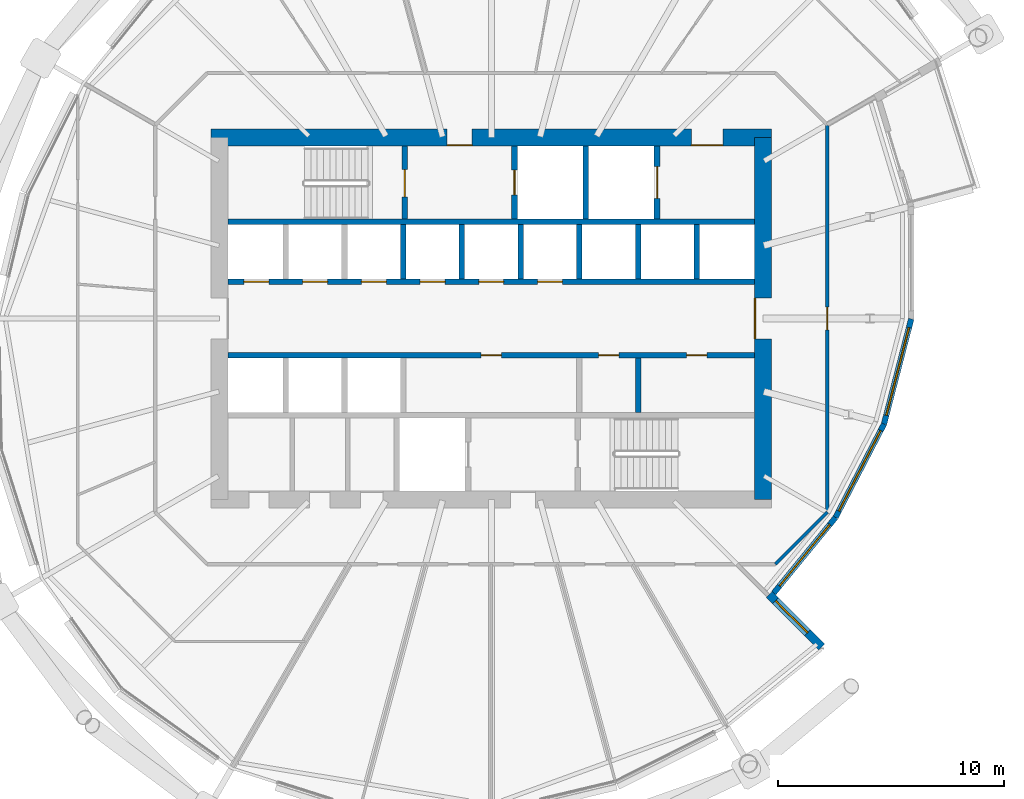
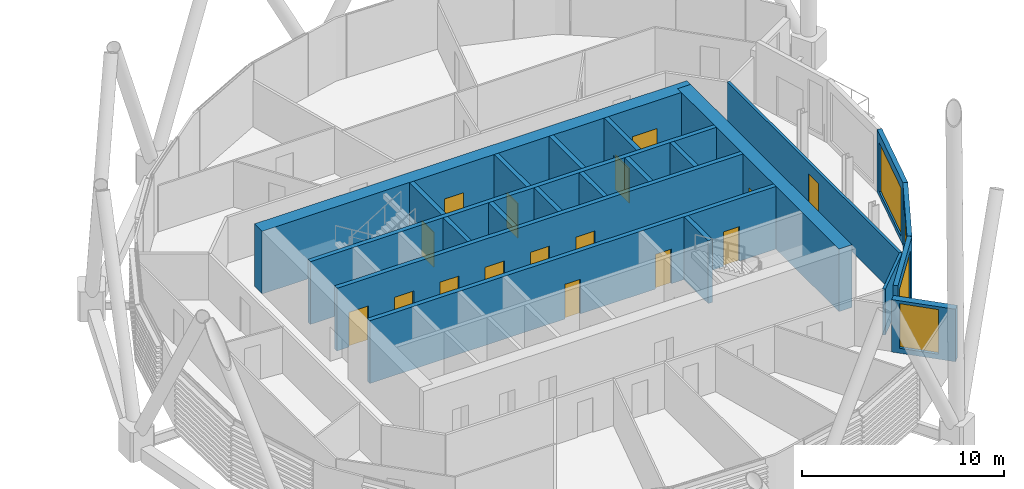
# One storey, part 31 of 39: 22 walls, 16 doors, 4 windows, 20 openings.
"""IFC4 building model written with IfcOpenShell, lengths in metres."""

from ifc_helpers import new_model, si_unit, direction, frame, frame_2d, origin, place, context, subcontext, project, spatial, rectangle, extrude, material, layer, layer_set, type_object, element, fill, save


model = new_model("IFC4")

# Units and contexts
model_context = context("Model", 3, precision=1e-05, world=origin(), true_north=direction((0.0, 1.0)))
body_context = subcontext(model_context, "Body", "Model", "MODEL_VIEW")
ifc_project = project(units=[si_unit("LENGTHUNIT", "METRE"), si_unit("AREAUNIT", "SQUARE_METRE"), si_unit("VOLUMEUNIT", "CUBIC_METRE"), si_unit("PLANEANGLEUNIT", "RADIAN"), si_unit("MASSUNIT", "GRAM", prefix="KILO")], contexts=[model_context])

# Site, building, storey
site_placement = place(None, origin())
site = spatial("IfcSite", under=ifc_project, at=site_placement, CompositionType="ELEMENT")
building_placement = place(site_placement, origin())
building = spatial("IfcBuilding", under=site, at=building_placement, Name="Rimbun Link Towers", CompositionType="ELEMENT")
storey_placement = place(building_placement, frame((0.0, 0.0, 115.800048828125)))
storey = spatial("IfcBuildingStorey", under=building, at=storey_placement, Name="L28", CompositionType="ELEMENT", Elevation=115.800048828125)

# Wall, opening, window
ifc_material_1 = material(Name="Dark enamelled glass spandrel on insulated aluminium backpan", Category="aluminium")
ifc_layer_1 = layer(ifc_material_1, 0.25)
ifc_layer_set_1 = layer_set([ifc_layer_1], Name="CS dark enamelled spandrel wall 250")
wall_type_1 = type_object("IfcWallType", Name="CS dark enamelled spandrel wall 250", PredefinedType="STANDARD", material=ifc_layer_set_1)
wall_1_placement = place(storey_placement, frame((46.958984375, -8.789306640625, 0.0), z_axis=(0.0, 0.0, 1.0), x_axis=(-0.632981787804, -0.774166685093, 0.0)))
wall_1 = element("IfcWall", 1, at=wall_1_placement, inside=storey, type_object=wall_type_1, Name="Crease spandrel wall", PredefinedType="STANDARD", context=body_context, shape_type="SweptSolid", body=[
    extrude(rectangle(XDim=4.31103515625, YDim=0.25, at=frame_2d((2.155517578125, 0.0))), origin(), (0.0, 0.0, 1.0), 3.800048828125),
])
opening_1_placement = place(wall_1_placement, frame((0.405517578125, 0.0, 0.300048828125)))
opening_1 = element("IfcOpeningElement", 2, at=opening_1_placement, cuts=wall_1, Name="Opening WR35H295", PredefinedType="OPENING", context=body_context, shape_type="SweptSolid", body=[
    extrude(rectangle(XDim=3.5, YDim=2.949951171875, at=frame_2d((1.75, 1.47509765625))), frame((0.0, 0.135009765625, 0.0), z_axis=(0.0, -1.0, 0.0), x_axis=(1.0, 0.0, 0.0)), (0.0, 0.0, 1.0), 0.27001953125),
])
ifc_material_2 = material(Name="Aluminium framed fixed window, dark tinted low-e glass", Category="aluminium")
window_type_1 = type_object("IfcWindowType", Name="WR ribbon window 3500X2950", PartitioningType="SINGLE_PANEL", PredefinedType="WINDOW", material=ifc_material_2)
window_1_placement = place(opening_1_placement, origin())
window_1 = element("IfcWindow", 3, at=window_1_placement, inside=storey, type_object=window_type_1, Name="Crease ribbon window", OverallHeight=2.949951171875, OverallWidth=3.5, PartitioningType="SINGLE_PANEL", PredefinedType="WINDOW", context=body_context, shape_type="SweptSolid", body=[
    extrude(rectangle(XDim=3.5, YDim=2.949951171875, at=frame_2d((1.75, 1.47509765625))), frame((0.0, 0.030029296875, 0.0), z_axis=(0.0, -1.0, 0.0), x_axis=(1.0, 0.0, 0.0)), (0.0, 0.0, 1.0), 0.06005859375),
])
fill(opening_1, window_1)

wall_2_placement = place(storey_placement, frame((49.1015625, -4.662841796875, 0.0), z_axis=(0.0, 0.0, 1.0), x_axis=(-0.460813679946, -0.887496902741, 0.0)))
wall_2 = element("IfcWall", 4, at=wall_2_placement, inside=storey, type_object=wall_type_1, Name="Crease spandrel wall", PredefinedType="STANDARD", context=body_context, shape_type="SweptSolid", body=[
    extrude(rectangle(XDim=4.649658203125, YDim=0.25, at=frame_2d((2.32470703125, 0.0))), origin(), (0.0, 0.0, 1.0), 3.800048828125),
])
opening_2_placement = place(wall_2_placement, frame((0.32470703125, 0.0, 0.300048828125)))
opening_2 = element("IfcOpeningElement", 5, at=opening_2_placement, cuts=wall_2, Name="Opening WR40H295", PredefinedType="OPENING", context=body_context, shape_type="SweptSolid", body=[
    extrude(rectangle(XDim=4.0, YDim=2.949951171875, at=frame_2d((2.0, 1.47509765625))), frame((0.0, 0.135009765625, 0.0), z_axis=(0.0, -1.0, 0.0), x_axis=(1.0, 0.0, 0.0)), (0.0, 0.0, 1.0), 0.27001953125),
])
ifc_material_3 = material(Name="Aluminium framed fixed window, dark tinted low-e glass", Category="aluminium")
window_type_2 = type_object("IfcWindowType", Name="WR ribbon window 4000X2950", PartitioningType="SINGLE_PANEL", PredefinedType="WINDOW", material=ifc_material_3)
window_2_placement = place(opening_2_placement, origin())
window_2 = element("IfcWindow", 6, at=window_2_placement, inside=storey, type_object=window_type_2, Name="Crease ribbon window", OverallHeight=2.949951171875, OverallWidth=4.0, PartitioningType="SINGLE_PANEL", PredefinedType="WINDOW", context=body_context, shape_type="SweptSolid", body=[
    extrude(rectangle(XDim=4.0, YDim=2.949951171875, at=frame_2d((2.0, 1.47509765625))), frame((0.0, 0.030029296875, 0.0), z_axis=(0.0, -1.0, 0.0), x_axis=(1.0, 0.0, 0.0)), (0.0, 0.0, 1.0), 0.06005859375),
])
fill(opening_2, window_2)

wall_3_placement = place(storey_placement, frame((50.305419921875, -0.015869140625, 0.0), z_axis=(0.0, 0.0, 1.0), x_axis=(-0.250783887851, -0.968043099038, 0.0)))
wall_3 = element("IfcWall", 7, at=wall_3_placement, inside=storey, type_object=wall_type_1, Name="Crease spandrel wall", PredefinedType="STANDARD", context=body_context, shape_type="SweptSolid", body=[
    extrude(rectangle(XDim=4.80029296875, YDim=0.25, at=frame_2d((2.400146484375, 0.0))), origin(), (0.0, 0.0, 1.0), 3.800048828125),
])
opening_3_placement = place(wall_3_placement, frame((0.400146484375, 0.0, 0.300048828125)))
opening_3 = element("IfcOpeningElement", 8, at=opening_3_placement, cuts=wall_3, Name="Opening WR40H295", PredefinedType="OPENING", context=body_context, shape_type="SweptSolid", body=[
    extrude(rectangle(XDim=4.0, YDim=2.949951171875, at=frame_2d((2.0, 1.47509765625))), frame((0.0, 0.135009765625, 0.0), z_axis=(0.0, -1.0, 0.0), x_axis=(1.0, 0.0, 0.0)), (0.0, 0.0, 1.0), 0.27001953125),
])
window_3_placement = place(opening_3_placement, origin())
window_3 = element("IfcWindow", 9, at=window_3_placement, inside=storey, type_object=window_type_2, Name="Crease ribbon window", OverallHeight=2.949951171875, OverallWidth=4.0, PartitioningType="SINGLE_PANEL", PredefinedType="WINDOW", context=body_context, shape_type="SweptSolid", body=[
    extrude(rectangle(XDim=4.0, YDim=2.949951171875, at=frame_2d((2.0, 1.47509765625))), frame((0.0, 0.030029296875, 0.0), z_axis=(0.0, -1.0, 0.0), x_axis=(1.0, 0.0, 0.0)), (0.0, 0.0, 1.0), 0.06005859375),
])
fill(opening_3, window_3)

ifc_material_4 = material(Name="Dark enamelled glass spandrel on insulated aluminium backpan", Category="aluminium")
ifc_layer_2 = layer(ifc_material_4, 0.3701171875)
ifc_layer_set_2 = layer_set([ifc_layer_2], Name="CS dark enamelled spandrel wall 370")
wall_type_2 = type_object("IfcWallType", Name="CS dark enamelled spandrel wall 370", PredefinedType="STANDARD", material=ifc_layer_set_2)
wall_4_placement = place(storey_placement, frame((44.0283203125, -12.186279296875, 0.0), z_axis=(0.0, 0.0, 1.0), x_axis=(0.707069562102, -0.707143998312, 0.0)))
wall_4 = element("IfcWall", 10, at=wall_4_placement, inside=storey, type_object=wall_type_2, Name="Crease spandrel wall", PredefinedType="STANDARD", context=body_context, shape_type="SweptSolid", body=[
    extrude(rectangle(XDim=3.27978515625, YDim=0.3701171875, at=frame_2d((1.639892578125, 0.0))), origin(), (0.0, 0.0, 1.0), 3.176513671875),
])
opening_4_placement = place(wall_4_placement, frame((0.397216796875, 0.0, 0.300048828125)))
opening_4 = element("IfcOpeningElement", 11, at=opening_4_placement, cuts=wall_4, Name="Opening WR20H270", PredefinedType="OPENING", context=body_context, shape_type="SweptSolid", body=[
    extrude(rectangle(XDim=2.0, YDim=2.699951171875, at=frame_2d((1.0, 1.35009765625))), frame((0.0, 0.195068359375, 0.0), z_axis=(0.0, -1.0, 0.0), x_axis=(1.0, 0.0, 0.0)), (0.0, 0.0, 1.0), 0.39013671875),
])
ifc_material_5 = material(Name="Aluminium framed fixed window, dark tinted low-e glass", Category="aluminium")
window_type_3 = type_object("IfcWindowType", Name="WR ribbon window 2000X2700", PartitioningType="SINGLE_PANEL", PredefinedType="WINDOW", material=ifc_material_5)
window_4_placement = place(opening_4_placement, origin())
window_4 = element("IfcWindow", 12, at=window_4_placement, inside=storey, type_object=window_type_3, Name="Crease ribbon window", OverallHeight=2.699951171875, OverallWidth=2.0, PartitioningType="SINGLE_PANEL", PredefinedType="WINDOW", context=body_context, shape_type="SweptSolid", body=[
    extrude(rectangle(XDim=2.0, YDim=2.699951171875, at=frame_2d((1.0, 1.35009765625))), frame((0.0, 0.030029296875, 0.0), z_axis=(0.0, -1.0, 0.0), x_axis=(1.0, 0.0, 0.0)), (0.0, 0.0, 1.0), 0.06005859375),
])
fill(opening_4, window_4)

# Wall, openings, doors
ifc_material_6 = material(Name="Concrete C60/75", Category="concrete")
ifc_layer_3 = layer(ifc_material_6, 0.75)
ifc_layer_set_3 = layer_set([ifc_layer_3], Name="Core shear wall 750")
wall_type_3 = type_object("IfcWallType", Name="Core shear wall 750", PredefinedType="SHEAR", material=ifc_layer_set_3)
wall_5_placement = place(storey_placement, frame((19.375, 8.0, 0.0), z_axis=(0.0, 0.0, 1.0), x_axis=(1.0, 0.0, 0.0)))
wall_5 = element("IfcWall", 13, at=wall_5_placement, inside=storey, type_object=wall_type_3, Name="L28 T2 core wall N", PredefinedType="SHEAR", context=body_context, shape_type="SweptSolid", body=[
    extrude(rectangle(XDim=24.75, YDim=0.75, at=frame_2d((12.375, 0.0))), origin(), (0.0, 0.0, 1.0), 3.800048828125),
])
opening_5_placement = place(wall_5_placement, frame((10.425048828125, 0.0, 0.0)))
opening_5 = element("IfcOpeningElement", 14, at=opening_5_placement, cuts=wall_5, Name="Opening C2DCF01N", PredefinedType="OPENING", context=body_context, shape_type="SweptSolid", body=[
    extrude(rectangle(XDim=1.10009765625, YDim=2.10009765625, at=frame_2d((0.550048828125, 1.050048828125))), frame((0.0, 0.385009765625, 0.0), z_axis=(0.0, -1.0, 0.0), x_axis=(1.0, 0.0, 0.0)), (0.0, 0.0, 1.0), 0.77001953125),
])
opening_6_placement = place(wall_5_placement, frame((21.21240234375, 0.0, 0.0)))
opening_6 = element("IfcOpeningElement", 15, at=opening_6_placement, cuts=wall_5, Name="Opening C2DSL02N", PredefinedType="OPENING", context=body_context, shape_type="SweptSolid", body=[
    extrude(rectangle(XDim=1.39990234375, YDim=2.10009765625, at=frame_2d((0.699951171875, 1.050048828125))), frame((0.0, 0.385009765625, 0.0), z_axis=(0.0, -1.0, 0.0), x_axis=(1.0, 0.0, 0.0)), (0.0, 0.0, 1.0), 0.77001953125),
])
ifc_material_7 = material(Name="Steel fire door set", Category="steel")
door_type_1 = type_object("IfcDoorType", Name="Core fire door single", OperationType="SINGLE_SWING_LEFT", PredefinedType="DOOR", material=ifc_material_7)
door_1_placement = place(opening_5_placement, origin())
door_1 = element("IfcDoor", 16, at=door_1_placement, inside=storey, type_object=door_type_1, Name="L28 T2 firefighting lobby n door", OperationType="SINGLE_SWING_LEFT", OverallHeight=2.10009765625, OverallWidth=1.10009765625, PredefinedType="DOOR", context=body_context, shape_type="SweptSolid", body=[
    extrude(rectangle(XDim=1.10009765625, YDim=2.10009765625, at=frame_2d((0.550048828125, 1.050048828125))), frame((0.0, -0.3251953125, 0.0), z_axis=(0.0, -1.0, 0.0), x_axis=(1.0, 0.0, 0.0)), (0.0, 0.0, 1.0), 0.050048828125),
])
fill(opening_5, door_1)
ifc_material_8 = material(Name="Steel fire door set", Category="steel")
door_type_2 = type_object("IfcDoorType", Name="Service lobby door double", OperationType="DOUBLE_DOOR_SINGLE_SWING", PredefinedType="DOOR", material=ifc_material_8)
door_2_placement = place(opening_6_placement, origin())
door_2 = element("IfcDoor", 17, at=door_2_placement, inside=storey, type_object=door_type_2, Name="L28 T2 service lobby door", OperationType="DOUBLE_DOOR_SINGLE_SWING", OverallHeight=2.10009765625, OverallWidth=1.39990234375, PredefinedType="DOOR", context=body_context, shape_type="SweptSolid", body=[
    extrude(rectangle(XDim=1.39990234375, YDim=2.10009765625, at=frame_2d((0.699951171875, 1.050048828125))), frame((0.0, -0.3251953125, 0.0), z_axis=(0.0, -1.0, 0.0), x_axis=(1.0, 0.0, 0.0)), (0.0, 0.0, 1.0), 0.050048828125),
])
fill(opening_6, door_2)

# Wall, opening, door
wall_6_placement = place(storey_placement, frame((43.75, -8.0, 0.0), z_axis=(0.0, 0.0, 1.0), x_axis=(0.0, 1.0, 0.0)))
wall_6 = element("IfcWall", 18, at=wall_6_placement, inside=storey, type_object=wall_type_3, Name="L28 T2 core wall E", PredefinedType="SHEAR", context=body_context, shape_type="SweptSolid", body=[
    extrude(rectangle(XDim=16.0, YDim=0.75, at=frame_2d((8.0, 0.0))), origin(), (0.0, 0.0, 1.0), 3.800048828125),
])
opening_7_placement = place(wall_6_placement, frame((7.10009765625, 0.0, 0.0)))
opening_7 = element("IfcOpeningElement", 19, at=opening_7_placement, cuts=wall_6, Name="Opening C2DCL01E", PredefinedType="OPENING", context=body_context, shape_type="SweptSolid", body=[
    extrude(rectangle(XDim=1.800048828125, YDim=2.10009765625, at=frame_2d((0.89990234375, 1.050048828125))), frame((0.0, 0.385009765625, 0.0), z_axis=(0.0, -1.0, 0.0), x_axis=(1.0, 0.0, 0.0)), (0.0, 0.0, 1.0), 0.77001953125),
])
ifc_material_9 = material(Name="Steel fire door set", Category="steel")
door_type_3 = type_object("IfcDoorType", Name="Core lobby door double", OperationType="DOUBLE_DOOR_SINGLE_SWING", PredefinedType="DOOR", material=ifc_material_9)
door_3_placement = place(opening_7_placement, origin())
door_3 = element("IfcDoor", 20, at=door_3_placement, inside=storey, type_object=door_type_3, Name="L28 T2 lift lobby door", OperationType="DOUBLE_DOOR_SINGLE_SWING", OverallHeight=2.10009765625, OverallWidth=1.800048828125, PredefinedType="DOOR", context=body_context, shape_type="SweptSolid", body=[
    extrude(rectangle(XDim=1.800048828125, YDim=2.10009765625, at=frame_2d((0.89990234375, 1.050048828125))), frame((0.0, 0.375, 0.0), z_axis=(0.0, -1.0, 0.0), x_axis=(1.0, 0.0, 0.0)), (0.0, 0.0, 1.0), 0.050048828125),
])
fill(opening_7, door_3)

ifc_material_10 = material(Name="Plasterboard on steel stud, mineral wool", Category="steel")
ifc_layer_4 = layer(ifc_material_10, 0.14990234375)
ifc_layer_set_4 = layer_set([ifc_layer_4], Name="Corridor wall EI 30 150 mm")
wall_type_4 = type_object("IfcWallType", Name="Corridor wall EI 30 150 mm", PredefinedType="PARTITIONING", material=ifc_layer_set_4)
wall_7_placement = place(storey_placement, frame((46.60009765625, 8.5517578125, 0.0), z_axis=(0.0, 0.0, 1.0), x_axis=(0.0, -1.0, 0.0)))
wall_7 = element("IfcWall", 21, at=wall_7_placement, inside=storey, type_object=wall_type_4, Name="Corridor wall EI 30 150 mm", PredefinedType="PARTITIONING", context=body_context, shape_type="SweptSolid", body=[
    extrude(rectangle(XDim=17.103515625, YDim=0.14990234375, at=frame_2d((8.5517578125, 0.0))), origin(), (0.0, 0.0, 1.0), 2.779052734375),
])
opening_8_placement = place(wall_7_placement, frame((8.0517578125, 0.0, 0.0)))
opening_8 = element("IfcOpeningElement", 22, at=opening_8_placement, cuts=wall_7, Name="Opening D01", PredefinedType="OPENING", context=body_context, shape_type="SweptSolid", body=[
    extrude(rectangle(XDim=1.0, YDim=2.10009765625, at=frame_2d((0.5, 1.050048828125))), frame((0.0, 0.0849609375, 0.0), z_axis=(0.0, -1.0, 0.0), x_axis=(1.0, 0.0, 0.0)), (0.0, 0.0, 1.0), 0.169921875),
])
ifc_material_11 = material(Name="Fire-resisting timber door leaf", Category="wood")
door_type_4 = type_object("IfcDoorType", Name="Fire door FD30S 1000", OperationType="NOTDEFINED", PredefinedType="DOOR", material=ifc_material_11)
door_4_placement = place(opening_8_placement, origin())
door_4 = element("IfcDoor", 23, at=door_4_placement, inside=storey, type_object=door_type_4, Name="Fire door FD30S 1000 to Terrace office", OperationType="SINGLE_SWING_LEFT", OverallHeight=2.10009765625, OverallWidth=1.0, PredefinedType="DOOR", context=body_context, shape_type="SweptSolid", body=[
    extrude(rectangle(XDim=1.0, YDim=2.10009765625, at=frame_2d((0.5, 1.050048828125))), frame((0.0, 0.02490234375, 0.0), z_axis=(0.0, -1.0, 0.0), x_axis=(1.0, 0.0, 0.0)), (0.0, 0.0, 1.0), 0.050048828125),
])
fill(opening_8, door_4)

# Walls
wall_8_placement = place(storey_placement, frame((44.3017578125, -10.85009765625, 0.0), z_axis=(0.0, 0.0, 1.0), x_axis=(0.707106781187, 0.707106781187, 0.0)))
element("IfcWall", 24, at=wall_8_placement, inside=storey, type_object=wall_type_4, Name="Corridor wall EI 30 150 mm", PredefinedType="PARTITIONING", context=body_context, shape_type="SweptSolid", body=[
    extrude(rectangle(XDim=3.250244140625, YDim=0.14990234375, at=frame_2d((1.625, 0.0))), origin(), (0.0, 0.0, 1.0), 2.779052734375),
])
ifc_material_12 = material(Name="Concrete C60/75", Category="concrete")
ifc_layer_5 = layer(ifc_material_12, 0.25)
ifc_layer_set_5 = layer_set([ifc_layer_5], Name="Shaft wall 250")
wall_type_5 = type_object("IfcWallType", Name="Shaft wall 250", PredefinedType="SHEAR", material=ifc_layer_set_5)
wall_9_placement = place(storey_placement, frame((20.125, 4.27490234375, 0.0), z_axis=(0.0, 0.0, 1.0), x_axis=(1.0, 0.0, 0.0)))
element("IfcWall", 25, at=wall_9_placement, inside=storey, type_object=wall_type_5, Name="L28 T2 core wall BN", PredefinedType="SHEAR", context=body_context, shape_type="SweptSolid", body=[
    extrude(rectangle(XDim=23.25, YDim=0.25, at=frame_2d((11.625, 0.0))), origin(), (0.0, 0.0, 1.0), 3.800048828125),
])

# Wall, openings, doors
wall_10_placement = place(storey_placement, frame((20.125, 1.625, 0.0), z_axis=(0.0, 0.0, 1.0), x_axis=(1.0, 0.0, 0.0)))
wall_10 = element("IfcWall", 26, at=wall_10_placement, inside=storey, type_object=wall_type_5, Name="L28 T2 core wall FN", PredefinedType="SHEAR", context=body_context, shape_type="SweptSolid", body=[
    extrude(rectangle(XDim=23.25, YDim=0.25, at=frame_2d((11.625, 0.0))), origin(), (0.0, 0.0, 1.0), 3.800048828125),
])
opening_9_placement = place(wall_10_placement, frame((0.697265625, 0.0, 0.0)))
opening_9 = element("IfcOpeningElement", 27, at=opening_9_placement, cuts=wall_10, Name="Opening LD-T2-LR1", PredefinedType="OPENING", context=body_context, shape_type="SweptSolid", body=[
    extrude(rectangle(XDim=1.10009765625, YDim=2.10009765625, at=frame_2d((0.550048828125, 1.050048828125))), frame((0.0, 0.135009765625, 0.0), z_axis=(0.0, -1.0, 0.0), x_axis=(1.0, 0.0, 0.0)), (0.0, 0.0, 1.0), 0.27001953125),
])
opening_10_placement = place(wall_10_placement, frame((3.291748046875, 0.0, 0.0)))
opening_10 = element("IfcOpeningElement", 28, at=opening_10_placement, cuts=wall_10, Name="Opening LD-T2-LR2", PredefinedType="OPENING", context=body_context, shape_type="SweptSolid", body=[
    extrude(rectangle(XDim=1.10009765625, YDim=2.10009765625, at=frame_2d((0.550048828125, 1.050048828125))), frame((0.0, 0.135009765625, 0.0), z_axis=(0.0, -1.0, 0.0), x_axis=(1.0, 0.0, 0.0)), (0.0, 0.0, 1.0), 0.27001953125),
])
opening_11_placement = place(wall_10_placement, frame((5.885986328125, 0.0, 0.0)))
opening_11 = element("IfcOpeningElement", 29, at=opening_11_placement, cuts=wall_10, Name="Opening LD-T2-LR3", PredefinedType="OPENING", context=body_context, shape_type="SweptSolid", body=[
    extrude(rectangle(XDim=1.10009765625, YDim=2.10009765625, at=frame_2d((0.550048828125, 1.050048828125))), frame((0.0, 0.135009765625, 0.0), z_axis=(0.0, -1.0, 0.0), x_axis=(1.0, 0.0, 0.0)), (0.0, 0.0, 1.0), 0.27001953125),
])
opening_12_placement = place(wall_10_placement, frame((8.480712890625, 0.0, 0.0)))
opening_12 = element("IfcOpeningElement", 30, at=opening_12_placement, cuts=wall_10, Name="Opening LD-T2-LR4", PredefinedType="OPENING", context=body_context, shape_type="SweptSolid", body=[
    extrude(rectangle(XDim=1.10009765625, YDim=2.10009765625, at=frame_2d((0.550048828125, 1.050048828125))), frame((0.0, 0.135009765625, 0.0), z_axis=(0.0, -1.0, 0.0), x_axis=(1.0, 0.0, 0.0)), (0.0, 0.0, 1.0), 0.27001953125),
])
opening_13_placement = place(wall_10_placement, frame((11.074951171875, 0.0, 0.0)))
opening_13 = element("IfcOpeningElement", 31, at=opening_13_placement, cuts=wall_10, Name="Opening LD-T2-LR5", PredefinedType="OPENING", context=body_context, shape_type="SweptSolid", body=[
    extrude(rectangle(XDim=1.10009765625, YDim=2.10009765625, at=frame_2d((0.550048828125, 1.050048828125))), frame((0.0, 0.135009765625, 0.0), z_axis=(0.0, -1.0, 0.0), x_axis=(1.0, 0.0, 0.0)), (0.0, 0.0, 1.0), 0.27001953125),
])
opening_14_placement = place(wall_10_placement, frame((13.66943359375, 0.0, 0.0)))
opening_14 = element("IfcOpeningElement", 32, at=opening_14_placement, cuts=wall_10, Name="Opening LD-T2-LR6", PredefinedType="OPENING", context=body_context, shape_type="SweptSolid", body=[
    extrude(rectangle(XDim=1.10009765625, YDim=2.10009765625, at=frame_2d((0.550048828125, 1.050048828125))), frame((0.0, 0.135009765625, 0.0), z_axis=(0.0, -1.0, 0.0), x_axis=(1.0, 0.0, 0.0)), (0.0, 0.0, 1.0), 0.27001953125),
])
ifc_material_13 = material(Name="Stainless steel grade 316", Category="steel")
door_type_5 = type_object("IfcDoorType", Name="Lift landing door", OperationType="DOUBLE_DOOR_SLIDING", PredefinedType="DOOR", material=ifc_material_13)
door_5_placement = place(opening_9_placement, origin())
door_5 = element("IfcDoor", 33, at=door_5_placement, inside=storey, type_object=door_type_5, Name="L28 T2 lift LR1 landing door", OperationType="DOUBLE_DOOR_SLIDING", OverallHeight=2.10009765625, OverallWidth=1.10009765625, PredefinedType="DOOR", context=body_context, shape_type="SweptSolid", body=[
    extrude(rectangle(XDim=1.10009765625, YDim=2.10009765625, at=frame_2d((0.550048828125, 1.050048828125))), frame((0.0, 0.02490234375, 0.0), z_axis=(0.0, -1.0, 0.0), x_axis=(1.0, 0.0, 0.0)), (0.0, 0.0, 1.0), 0.050048828125),
])
fill(opening_9, door_5)
door_6_placement = place(opening_10_placement, origin())
door_6 = element("IfcDoor", 34, at=door_6_placement, inside=storey, type_object=door_type_5, Name="L28 T2 lift LR2 landing door", OperationType="DOUBLE_DOOR_SLIDING", OverallHeight=2.10009765625, OverallWidth=1.10009765625, PredefinedType="DOOR", context=body_context, shape_type="SweptSolid", body=[
    extrude(rectangle(XDim=1.10009765625, YDim=2.10009765625, at=frame_2d((0.550048828125, 1.050048828125))), frame((0.0, 0.02490234375, 0.0), z_axis=(0.0, -1.0, 0.0), x_axis=(1.0, 0.0, 0.0)), (0.0, 0.0, 1.0), 0.050048828125),
])
fill(opening_10, door_6)
door_7_placement = place(opening_11_placement, origin())
door_7 = element("IfcDoor", 35, at=door_7_placement, inside=storey, type_object=door_type_5, Name="L28 T2 lift LR3 landing door", OperationType="DOUBLE_DOOR_SLIDING", OverallHeight=2.10009765625, OverallWidth=1.10009765625, PredefinedType="DOOR", context=body_context, shape_type="SweptSolid", body=[
    extrude(rectangle(XDim=1.10009765625, YDim=2.10009765625, at=frame_2d((0.550048828125, 1.050048828125))), frame((0.0, 0.02490234375, 0.0), z_axis=(0.0, -1.0, 0.0), x_axis=(1.0, 0.0, 0.0)), (0.0, 0.0, 1.0), 0.050048828125),
])
fill(opening_11, door_7)
door_8_placement = place(opening_12_placement, origin())
door_8 = element("IfcDoor", 36, at=door_8_placement, inside=storey, type_object=door_type_5, Name="L28 T2 lift LR4 landing door", OperationType="DOUBLE_DOOR_SLIDING", OverallHeight=2.10009765625, OverallWidth=1.10009765625, PredefinedType="DOOR", context=body_context, shape_type="SweptSolid", body=[
    extrude(rectangle(XDim=1.10009765625, YDim=2.10009765625, at=frame_2d((0.550048828125, 1.050048828125))), frame((0.0, 0.02490234375, 0.0), z_axis=(0.0, -1.0, 0.0), x_axis=(1.0, 0.0, 0.0)), (0.0, 0.0, 1.0), 0.050048828125),
])
fill(opening_12, door_8)
door_9_placement = place(opening_13_placement, origin())
door_9 = element("IfcDoor", 37, at=door_9_placement, inside=storey, type_object=door_type_5, Name="L28 T2 lift LR5 landing door", OperationType="DOUBLE_DOOR_SLIDING", OverallHeight=2.10009765625, OverallWidth=1.10009765625, PredefinedType="DOOR", context=body_context, shape_type="SweptSolid", body=[
    extrude(rectangle(XDim=1.10009765625, YDim=2.10009765625, at=frame_2d((0.550048828125, 1.050048828125))), frame((0.0, 0.02490234375, 0.0), z_axis=(0.0, -1.0, 0.0), x_axis=(1.0, 0.0, 0.0)), (0.0, 0.0, 1.0), 0.050048828125),
])
fill(opening_13, door_9)
door_10_placement = place(opening_14_placement, origin())
door_10 = element("IfcDoor", 38, at=door_10_placement, inside=storey, type_object=door_type_5, Name="L28 T2 lift LR6 landing door", OperationType="DOUBLE_DOOR_SLIDING", OverallHeight=2.10009765625, OverallWidth=1.10009765625, PredefinedType="DOOR", context=body_context, shape_type="SweptSolid", body=[
    extrude(rectangle(XDim=1.10009765625, YDim=2.10009765625, at=frame_2d((0.550048828125, 1.050048828125))), frame((0.0, 0.02490234375, 0.0), z_axis=(0.0, -1.0, 0.0), x_axis=(1.0, 0.0, 0.0)), (0.0, 0.0, 1.0), 0.050048828125),
])
fill(opening_14, door_10)

wall_11_placement = place(storey_placement, frame((20.125, -1.625, 0.0), z_axis=(0.0, 0.0, 1.0), x_axis=(1.0, 0.0, 0.0)))
wall_11 = element("IfcWall", 39, at=wall_11_placement, inside=storey, type_object=wall_type_5, Name="L28 T2 core wall FS", PredefinedType="SHEAR", context=body_context, shape_type="SweptSolid", body=[
    extrude(rectangle(XDim=23.25, YDim=0.25, at=frame_2d((11.625, 0.0))), origin(), (0.0, 0.0, 1.0), 3.800048828125),
])
opening_15_placement = place(wall_11_placement, frame((11.175048828125, 0.0, 0.0)))
opening_15 = element("IfcOpeningElement", 40, at=opening_15_placement, cuts=wall_11, Name="Opening C2DRS01FS", PredefinedType="OPENING", context=body_context, shape_type="SweptSolid", body=[
    extrude(rectangle(XDim=0.89990234375, YDim=2.10009765625, at=frame_2d((0.449951171875, 1.050048828125))), frame((0.0, 0.135009765625, 0.0), z_axis=(0.0, -1.0, 0.0), x_axis=(1.0, 0.0, 0.0)), (0.0, 0.0, 1.0), 0.27001953125),
])
opening_16_placement = place(wall_11_placement, frame((16.364013671875, 0.0, 0.0)))
opening_16 = element("IfcOpeningElement", 41, at=opening_16_placement, cuts=wall_11, Name="Opening C2DRS02FS", PredefinedType="OPENING", context=body_context, shape_type="SweptSolid", body=[
    extrude(rectangle(XDim=0.89990234375, YDim=2.10009765625, at=frame_2d((0.449951171875, 1.050048828125))), frame((0.0, 0.135009765625, 0.0), z_axis=(0.0, -1.0, 0.0), x_axis=(1.0, 0.0, 0.0)), (0.0, 0.0, 1.0), 0.27001953125),
])
opening_17_placement = place(wall_11_placement, frame((20.255615234375, 0.0, 0.0)))
opening_17 = element("IfcOpeningElement", 42, at=opening_17_placement, cuts=wall_11, Name="Opening C2DRS03FS", PredefinedType="OPENING", context=body_context, shape_type="SweptSolid", body=[
    extrude(rectangle(XDim=0.89990234375, YDim=2.10009765625, at=frame_2d((0.449951171875, 1.050048828125))), frame((0.0, 0.135009765625, 0.0), z_axis=(0.0, -1.0, 0.0), x_axis=(1.0, 0.0, 0.0)), (0.0, 0.0, 1.0), 0.27001953125),
])
ifc_material_14 = material(Name="Steel fire door set", Category="steel")
door_type_6 = type_object("IfcDoorType", Name="Core riser door", OperationType="SINGLE_SWING_LEFT", PredefinedType="DOOR", material=ifc_material_14)
door_11_placement = place(opening_15_placement, origin())
door_11 = element("IfcDoor", 43, at=door_11_placement, inside=storey, type_object=door_type_6, Name="L28 T2 records store door", OperationType="SINGLE_SWING_LEFT", OverallHeight=2.10009765625, OverallWidth=0.89990234375, PredefinedType="DOOR", context=body_context, shape_type="SweptSolid", body=[
    extrude(rectangle(XDim=0.89990234375, YDim=2.10009765625, at=frame_2d((0.449951171875, 1.050048828125))), frame((0.0, 0.02490234375, 0.0), z_axis=(0.0, -1.0, 0.0), x_axis=(1.0, 0.0, 0.0)), (0.0, 0.0, 1.0), 0.050048828125),
])
fill(opening_15, door_11)
door_12_placement = place(opening_16_placement, origin())
door_12 = element("IfcDoor", 44, at=door_12_placement, inside=storey, type_object=door_type_6, Name="L28 T2 cleaner store door", OperationType="SINGLE_SWING_LEFT", OverallHeight=2.10009765625, OverallWidth=0.89990234375, PredefinedType="DOOR", context=body_context, shape_type="SweptSolid", body=[
    extrude(rectangle(XDim=0.89990234375, YDim=2.10009765625, at=frame_2d((0.449951171875, 1.050048828125))), frame((0.0, 0.02490234375, 0.0), z_axis=(0.0, -1.0, 0.0), x_axis=(1.0, 0.0, 0.0)), (0.0, 0.0, 1.0), 0.050048828125),
])
fill(opening_16, door_12)
door_13_placement = place(opening_17_placement, origin())
door_13 = element("IfcDoor", 45, at=door_13_placement, inside=storey, type_object=door_type_6, Name="L28 T2 staff lounge door", OperationType="SINGLE_SWING_RIGHT", OverallHeight=2.10009765625, OverallWidth=0.89990234375, PredefinedType="DOOR", context=body_context, shape_type="SweptSolid", body=[
    extrude(rectangle(XDim=0.89990234375, YDim=2.10009765625, at=frame_2d((0.449951171875, 1.050048828125))), frame((0.0, 0.02490234375, 0.0), z_axis=(0.0, -1.0, 0.0), x_axis=(1.0, 0.0, 0.0)), (0.0, 0.0, 1.0), 0.050048828125),
])
fill(opening_17, door_13)

# Walls
for number, where, z_axis, x_axis, name in (
    (46, (27.8583984375, 1.75, 0.0), (0.0, 0.0, 1.0), (0.0, 1.0, 0.0), "L28 T2 core wall DN2"),
    (47, (30.452880859375, 1.75, 0.0), (0.0, 0.0, 1.0), (0.0, 1.0, 0.0), "L28 T2 core wall DN3"),
    (48, (33.047119140625, 1.75, 0.0), (0.0, 0.0, 1.0), (0.0, 1.0, 0.0), "L28 T2 core wall DN4"),
    (49, (35.6416015625, 1.75, 0.0), (0.0, 0.0, 1.0), (0.0, 1.0, 0.0), "L28 T2 core wall DN5"),
    (50, (38.236083984375, 1.75, 0.0), (0.0, 0.0, 1.0), (0.0, 1.0, 0.0), "L28 T2 core wall DN6"),
    (51, (40.83056640625, 1.75, 0.0), (0.0, 0.0, 1.0), (0.0, 1.0, 0.0), "L28 T2 core wall DN7"),
    (52, (38.236083984375, -4.14990234375, 0.0), (0.0, 0.0, 1.0), (0.0, 1.0, 0.0), "L28 T2 core wall DS6"),
):
    element("IfcWall", number, at=place(storey_placement, frame(where, z_axis=z_axis, x_axis=x_axis)), inside=storey, type_object=wall_type_5, Name=name, PredefinedType="SHEAR", context=body_context, shape_type="SweptSolid", body=[
        extrude(rectangle(XDim=2.39990234375, YDim=0.25, at=frame_2d((1.199951171875, 0.0))), origin(), (0.0, 0.0, 1.0), 3.800048828125),
    ])

# Wall, opening, door
wall_12_placement = place(storey_placement, frame((27.925048828125, 4.39990234375, 0.0), z_axis=(0.0, 0.0, 1.0), x_axis=(0.0, 1.0, 0.0)))
wall_12 = element("IfcWall", 53, at=wall_12_placement, inside=storey, type_object=wall_type_5, Name="L28 T2 core wall A1", PredefinedType="SHEAR", context=body_context, shape_type="SweptSolid", body=[
    extrude(rectangle(XDim=3.22509765625, YDim=0.25, at=frame_2d((1.612548828125, 0.0))), origin(), (0.0, 0.0, 1.0), 3.800048828125),
])
opening_18_placement = place(wall_12_placement, frame((0.97509765625, 0.0, 0.0)))
opening_18 = element("IfcOpeningElement", 54, at=opening_18_placement, cuts=wall_12, Name="Opening C2DST01A1", PredefinedType="OPENING", context=body_context, shape_type="SweptSolid", body=[
    extrude(rectangle(XDim=1.199951171875, YDim=2.10009765625, at=frame_2d((0.60009765625, 1.050048828125))), frame((0.0, 0.135009765625, 0.0), z_axis=(0.0, -1.0, 0.0), x_axis=(1.0, 0.0, 0.0)), (0.0, 0.0, 1.0), 0.27001953125),
])
ifc_material_15 = material(Name="Steel fire door set", Category="steel")
door_type_7 = type_object("IfcDoorType", Name="Stair door", OperationType="SINGLE_SWING_LEFT", PredefinedType="DOOR", material=ifc_material_15)
door_14_placement = place(opening_18_placement, origin())
door_14 = element("IfcDoor", 55, at=door_14_placement, inside=storey, type_object=door_type_7, Name="L28 T2 stair a door", OperationType="SINGLE_SWING_RIGHT", OverallHeight=2.10009765625, OverallWidth=1.199951171875, PredefinedType="DOOR", context=body_context, shape_type="SweptSolid", body=[
    extrude(rectangle(XDim=1.199951171875, YDim=2.10009765625, at=frame_2d((0.60009765625, 1.050048828125))), frame((0.0, 0.02490234375, 0.0), z_axis=(0.0, -1.0, 0.0), x_axis=(1.0, 0.0, 0.0)), (0.0, 0.0, 1.0), 0.050048828125),
])
fill(opening_18, door_14)

wall_13_placement = place(storey_placement, frame((32.77490234375, 4.39990234375, 0.0), z_axis=(0.0, 0.0, 1.0), x_axis=(0.0, 1.0, 0.0)))
wall_13 = element("IfcWall", 56, at=wall_13_placement, inside=storey, type_object=wall_type_5, Name="L28 T2 core wall A2", PredefinedType="SHEAR", context=body_context, shape_type="SweptSolid", body=[
    extrude(rectangle(XDim=3.22509765625, YDim=0.25, at=frame_2d((1.612548828125, 0.0))), origin(), (0.0, 0.0, 1.0), 3.800048828125),
])
opening_19_placement = place(wall_13_placement, frame((1.0625, 0.0, 0.0)))
opening_19 = element("IfcOpeningElement", 57, at=opening_19_placement, cuts=wall_13, Name="Opening LD-T2-FF1", PredefinedType="OPENING", context=body_context, shape_type="SweptSolid", body=[
    extrude(rectangle(XDim=1.10009765625, YDim=2.10009765625, at=frame_2d((0.550048828125, 1.050048828125))), frame((0.0, 0.135009765625, 0.0), z_axis=(0.0, -1.0, 0.0), x_axis=(1.0, 0.0, 0.0)), (0.0, 0.0, 1.0), 0.27001953125),
])
door_15_placement = place(opening_19_placement, origin())
door_15 = element("IfcDoor", 58, at=door_15_placement, inside=storey, type_object=door_type_5, Name="L28 T2 lift FF1 landing door", OperationType="DOUBLE_DOOR_SLIDING", OverallHeight=2.10009765625, OverallWidth=1.10009765625, PredefinedType="DOOR", context=body_context, shape_type="SweptSolid", body=[
    extrude(rectangle(XDim=1.10009765625, YDim=2.10009765625, at=frame_2d((0.550048828125, 1.050048828125))), frame((0.0, 0.02490234375, 0.0), z_axis=(0.0, -1.0, 0.0), x_axis=(1.0, 0.0, 0.0)), (0.0, 0.0, 1.0), 0.050048828125),
])
fill(opening_19, door_15)

# Wall
wall_14_placement = place(storey_placement, frame((35.925048828125, 4.39990234375, 0.0), z_axis=(0.0, 0.0, 1.0), x_axis=(0.0, 1.0, 0.0)))
element("IfcWall", 59, at=wall_14_placement, inside=storey, type_object=wall_type_5, Name="L28 T2 core wall A3", PredefinedType="SHEAR", context=body_context, shape_type="SweptSolid", body=[
    extrude(rectangle(XDim=3.22509765625, YDim=0.25, at=frame_2d((1.612548828125, 0.0))), origin(), (0.0, 0.0, 1.0), 3.800048828125),
])

# Wall, opening, door
wall_15_placement = place(storey_placement, frame((39.074951171875, 4.39990234375, 0.0), z_axis=(0.0, 0.0, 1.0), x_axis=(0.0, 1.0, 0.0)))
wall_15 = element("IfcWall", 60, at=wall_15_placement, inside=storey, type_object=wall_type_5, Name="L28 T2 core wall A4", PredefinedType="SHEAR", context=body_context, shape_type="SweptSolid", body=[
    extrude(rectangle(XDim=3.22509765625, YDim=0.25, at=frame_2d((1.612548828125, 0.0))), origin(), (0.0, 0.0, 1.0), 3.800048828125),
])
opening_20_placement = place(wall_15_placement, frame((0.91259765625, 0.0, 0.0)))
opening_20 = element("IfcOpeningElement", 61, at=opening_20_placement, cuts=wall_15, Name="Opening LD-T2-GL1", PredefinedType="OPENING", context=body_context, shape_type="SweptSolid", body=[
    extrude(rectangle(XDim=1.39990234375, YDim=2.10009765625, at=frame_2d((0.699951171875, 1.050048828125))), frame((0.0, 0.135009765625, 0.0), z_axis=(0.0, -1.0, 0.0), x_axis=(1.0, 0.0, 0.0)), (0.0, 0.0, 1.0), 0.27001953125),
])
ifc_material_16 = material(Name="Stainless steel grade 316", Category="steel")
door_type_8 = type_object("IfcDoorType", Name="Goods lift landing door", OperationType="DOUBLE_DOOR_SLIDING", PredefinedType="DOOR", material=ifc_material_16)
door_16_placement = place(opening_20_placement, origin())
door_16 = element("IfcDoor", 62, at=door_16_placement, inside=storey, type_object=door_type_8, Name="L28 T2 lift GL1 landing door", OperationType="DOUBLE_DOOR_SLIDING", OverallHeight=2.10009765625, OverallWidth=1.39990234375, PredefinedType="DOOR", context=body_context, shape_type="SweptSolid", body=[
    extrude(rectangle(XDim=1.39990234375, YDim=2.10009765625, at=frame_2d((0.699951171875, 1.050048828125))), frame((0.0, 0.02490234375, 0.0), z_axis=(0.0, -1.0, 0.0), x_axis=(1.0, 0.0, 0.0)), (0.0, 0.0, 1.0), 0.050048828125),
])
fill(opening_20, door_16)

save(model, "model.ifc")
